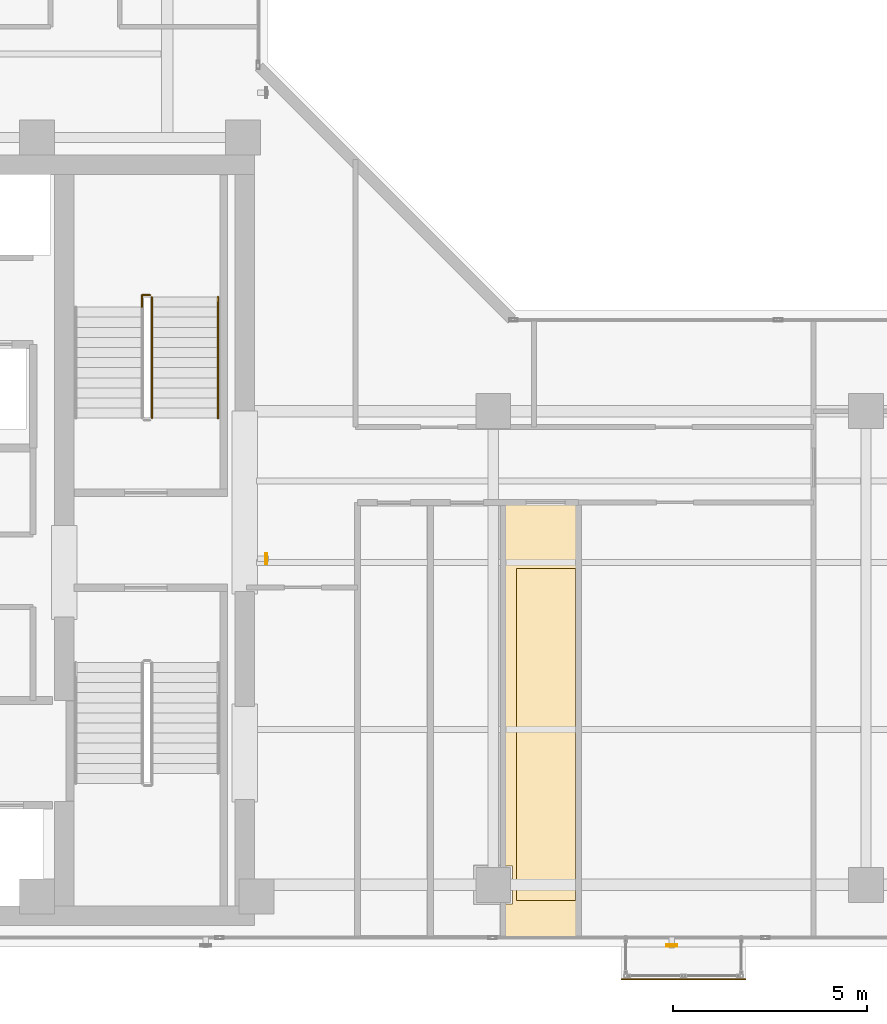
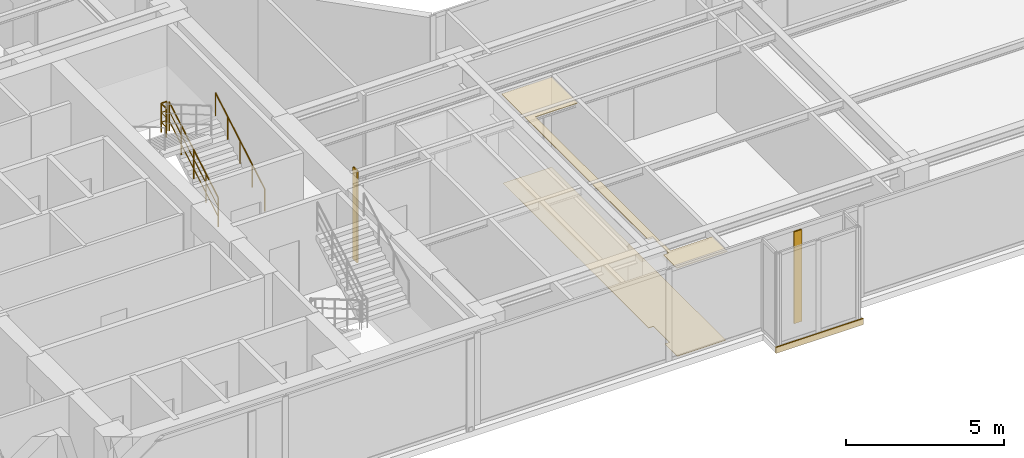
# One storey, part 21 of 22: 3 coverings, 3 railings, 2 shading devices.
"""IFC4 building model written with IfcOpenShell, lengths in metres."""

from ifc_helpers import new_model, si_unit, direction, frame, origin, origin_2d, place, context, subcontext, project, spatial, polyline, rectangle, hollow_rectangle, circle, outline, extrude, material, layer, layer_set, material_profile, profile_set, type_object, element, save


model = new_model("IFC4")

# Units and contexts
model_context = context("Model", 3, precision=1e-05, world=origin(), true_north=direction((0.0, 1.0)))
body_context = subcontext(model_context, "Body", "Model", "MODEL_VIEW")
ifc_project = project(units=[si_unit("LENGTHUNIT", "METRE"), si_unit("AREAUNIT", "SQUARE_METRE"), si_unit("VOLUMEUNIT", "CUBIC_METRE"), si_unit("PLANEANGLEUNIT", "RADIAN"), si_unit("MASSUNIT", "GRAM", prefix="KILO")], contexts=[model_context])

# Site, building, storey
site_placement = place(None, origin())
site = spatial("IfcSite", under=ifc_project, at=site_placement, CompositionType="ELEMENT")
building_placement = place(site_placement, origin())
building = spatial("IfcBuilding", under=site, at=building_placement, Name="Kolvaren Waterfront Exchange", CompositionType="ELEMENT")
storey_placement = place(building_placement, frame((0.0, 0.0, 266.60009765625)))
storey = spatial("IfcBuildingStorey", under=building, at=storey_placement, Name="L68", CompositionType="ELEMENT", Elevation=266.60009765625)

# Coverings
ifc_material_1 = material(Name="Mineral fibre acoustic ceiling tile")
ifc_layer_1 = layer(ifc_material_1, 0.02490234375, Name="Mineral fibre acoustic ceiling tile")
ifc_layer_set_1 = layer_set([ifc_layer_1], Name="Mineral fibre acoustic ceiling tile")
covering_type_1 = type_object("IfcCoveringType", Name="ARC-CEIL-ACOUSTIC-25", PredefinedType="CEILING", material=ifc_layer_set_1)
covering_1_placement = place(storey_placement, frame((0.0, 0.0, 3.44482421875)))
element("IfcCovering", 1, at=covering_1_placement, inside=storey, type_object=covering_type_1, Name="L68 acoustic suspended ceiling 3", PredefinedType="CEILING", context=body_context, shape_type="SweptSolid", body=[
    extrude(outline(polyline([(27.5048828125, 5.68994140625), (27.68994140625, 5.68994140625), (27.68994140625, 4.7099609375), (27.5048828125, 4.7099609375), (27.5048828125, 3.864990234375), (29.35498046875, 3.864990234375), (29.35498046875, 4.800048828125), (27.800048828125, 4.800048828125), (27.800048828125, 13.35009765625), (29.35498046875, 13.35009765625), (29.35498046875, 14.9951171875), (27.5048828125, 14.9951171875), (27.5048828125, 5.68994140625)])), origin(), (0.0, 0.0, 1.0), 0.025146484375),
])
ifc_material_2 = material(Name="Anodised bronze fascia aluminium", Category="aluminium")
ifc_layer_2 = layer(ifc_material_2, 0.034912109375, Name="Anodised bronze fascia aluminium")
ifc_layer_set_2 = layer_set([ifc_layer_2], Name="Anodised bronze fascia aluminium")
covering_type_2 = type_object("IfcCoveringType", Name="ARC-CLAD-BRONZE-35", PredefinedType="CLADDING", material=ifc_layer_set_2)
covering_2_placement = place(storey_placement, frame((32.10009765625, 2.77001953125, -0.22021484375), z_axis=(0.0, 0.0, 1.0), x_axis=(1.0, 0.0, 0.0)))
element("IfcCovering", 2, at=covering_2_placement, inside=storey, type_object=covering_type_2, Name="L68 ribbed anodised bronze bay-box fascia", PredefinedType="CLADDING", context=body_context, shape_type="SweptSolid", body=[
    extrude(rectangle(XDim=3.199951171875, YDim=0.034912109375, at=origin_2d()), origin(), (0.0, 0.0, 1.0), 0.239990234375),
])

# Shading devices
ifc_material_3 = material(Name="Anodised bronze aluminium 6063-T6", Category="aluminium")
ifc_material_profile = material_profile(ifc_material_3, hollow_rectangle(XDim=0.054931640625, YDim=0.280029296875, WallThickness=0.00439453125, at=origin_2d()), Name="BRZ-FIN-280x55x4.5")
ifc_profile_set = profile_set([ifc_material_profile], Name="Anodised bronze aluminium 6063-T6")
shading_device_type = type_object("IfcShadingDeviceType", Name="ARC-FIN-280", PredefinedType="USERDEFINED", material=ifc_profile_set)
for number, where, z_axis, x_axis, name in (
    (3, (31.800048828125, 3.639892578125, 0.0), (0.0, 0.0, 1.0), (0.0, -1.0, 0.0), "L68 anodised bronze solar shading fin FIN-L68-S3"),
    (4, (21.349609375, 13.60009765625, 0.0), (0.0, 0.0, 1.0), (1.0, 0.0, 0.0), "L68 anodised bronze solar shading fin FIN-L68-E1"),
):
    element("IfcShadingDevice", number, at=place(storey_placement, frame(where, z_axis=z_axis, x_axis=x_axis)), inside=storey, type_object=shading_device_type, Name=name, ObjectType="SOLAR FIN", PredefinedType="USERDEFINED", context=body_context, shape_type="SweptSolid", body=[
        extrude(hollow_rectangle(XDim=0.054931640625, YDim=0.280029296875, WallThickness=0.00439453125, at=origin_2d()), origin(), (0.0, 0.0, 1.0), 3.559814453125),
    ])

# Covering
ifc_material_4 = material(Name="Slip-resistant porcelain tile")
ifc_layer_3 = layer(ifc_material_4, 0.014892578125, Name="Slip-resistant porcelain tile")
ifc_layer_set_3 = layer_set([ifc_layer_3], Name="Slip-resistant porcelain tile")
covering_type_3 = type_object("IfcCoveringType", Name="ARC-FLR-PORC-15", PredefinedType="FLOORING", material=ifc_layer_set_3)
covering_3_placement = place(storey_placement, origin())
element("IfcCovering", 5, at=covering_3_placement, inside=storey, type_object=covering_type_3, Name="L68 floor finish 3", PredefinedType="FLOORING", context=body_context, shape_type="SweptSolid", body=[
    extrude(outline(polyline([(27.5400390625, 4.68994140625), (27.5400390625, 3.89990234375), (29.320068359375, 3.89990234375), (29.320068359375, 14.9599609375), (27.5400390625, 14.9599609375), (27.5400390625, 5.7099609375), (27.7099609375, 5.7099609375), (27.7099609375, 4.68994140625), (27.5400390625, 4.68994140625)])), origin(), (0.0, 0.0, 1.0), 0.014892578125),
])

# Railings
ifc_material_5 = material(Name="Stainless steel 316", Category="steel")
railing_type_1 = type_object("IfcRailingType", Name="ARC-GUARD-STAIR", PredefinedType="GUARDRAIL", material=ifc_material_5)
railing_1_placement = place(storey_placement, frame((18.409912109375, 17.219970703125, 0.15185546875)))
element("IfcRailing", 6, at=railing_1_placement, inside=storey, type_object=railing_type_1, Name="L68 ST2 stair guard 1", PredefinedType="GUARDRAIL", context=body_context, shape_type="SweptSolid", body=[
    extrude(circle(Radius=0.02392578125, at=origin_2d()), frame((0.0, 0.0, 1.1259765625), z_axis=(0.0, 0.86330811405, 0.504677223793), x_axis=(-1.0, 0.0, 0.0)), (0.0, 0.0, 1.0), 3.6142578125),
    extrude(circle(Radius=0.01611328125, at=origin_2d()), frame((0.0, 0.0, 0.390869140625), z_axis=(0.0, 0.86330811405, 0.504677223793), x_axis=(-1.0, 0.0, 0.0)), (0.0, 0.0, 1.0), 3.6142578125),
    extrude(circle(Radius=0.01611328125, at=origin_2d()), frame((0.0, 0.0, 0.7705078125), z_axis=(0.0, 0.86330811405, 0.504677223793), x_axis=(-1.0, 0.0, 0.0)), (0.0, 0.0, 1.0), 3.6142578125),
    extrude(circle(Radius=0.02099609375, at=origin_2d()), origin(), (0.0, 0.0, 1.0), 1.101806640625),
    extrude(circle(Radius=0.02099609375, at=origin_2d()), frame((0.0, 0.780029296875, 0.4560546875)), (0.0, 0.0, 1.0), 1.101806640625),
    extrude(circle(Radius=0.02099609375, at=origin_2d()), frame((0.0, 1.56005859375, 0.912109375)), (0.0, 0.0, 1.0), 1.101806640625),
    extrude(circle(Radius=0.02099609375, at=origin_2d()), frame((0.0, 2.340087890625, 1.367919921875)), (0.0, 0.0, 1.0), 1.101806640625),
    extrude(circle(Radius=0.02099609375, at=origin_2d()), frame((0.0, 3.1201171875, 1.823974609375)), (0.0, 0.0, 1.0), 1.101806640625),
])
railing_2_placement = place(storey_placement, frame((18.360107421875, 20.389892578125, 1.975830078125)))
element("IfcRailing", 7, at=railing_2_placement, inside=storey, type_object=railing_type_1, Name="L68 ST2 stair guard 2", PredefinedType="GUARDRAIL", context=body_context, shape_type="SweptSolid", body=[
    extrude(circle(Radius=0.02392578125, at=origin_2d()), frame((0.0, 0.0, 1.1259765625), z_axis=(-1.0, 0.0, 0.0), x_axis=(0.0, -1.0, 0.0)), (0.0, 0.0, 1.0), 0.210205078125),
    extrude(circle(Radius=0.01611328125, at=origin_2d()), frame((0.0, 0.0, 0.390869140625), z_axis=(-1.0, 0.0, 0.0), x_axis=(0.0, -1.0, 0.0)), (0.0, 0.0, 1.0), 0.210205078125),
    extrude(circle(Radius=0.01611328125, at=origin_2d()), frame((0.0, 0.0, 0.7705078125), z_axis=(-1.0, 0.0, 0.0), x_axis=(0.0, -1.0, 0.0)), (0.0, 0.0, 1.0), 0.210205078125),
    extrude(circle(Radius=0.02392578125, at=origin_2d()), frame((-0.210205078125, 0.0, 1.1259765625), z_axis=(0.0, -1.0, 0.0), x_axis=(1.0, 0.0, 0.0)), (0.0, 0.0, 1.0), 0.309814453125),
    extrude(circle(Radius=0.01611328125, at=origin_2d()), frame((-0.210205078125, 0.0, 0.390869140625), z_axis=(0.0, -1.0, 0.0), x_axis=(1.0, 0.0, 0.0)), (0.0, 0.0, 1.0), 0.309814453125),
    extrude(circle(Radius=0.01611328125, at=origin_2d()), frame((-0.210205078125, 0.0, 0.7705078125), z_axis=(0.0, -1.0, 0.0), x_axis=(1.0, 0.0, 0.0)), (0.0, 0.0, 1.0), 0.309814453125),
    extrude(circle(Radius=0.02099609375, at=origin_2d()), origin(), (0.0, 0.0, 1.0), 1.101806640625),
    extrude(circle(Radius=0.02099609375, at=origin_2d()), frame((-0.210205078125, 0.0, 0.0)), (0.0, 0.0, 1.0), 1.101806640625),
    extrude(circle(Radius=0.02099609375, at=origin_2d()), frame((-0.210205078125, -0.309814453125, 0.0)), (0.0, 0.0, 1.0), 1.101806640625),
])
railing_type_2 = type_object("IfcRailingType", Name="ARC-HANDRAIL-900", PredefinedType="HANDRAIL", material=ifc_material_5)
railing_3_placement = place(storey_placement, frame((20.110107421875, 17.219970703125, 0.15185546875)))
element("IfcRailing", 8, at=railing_3_placement, inside=storey, type_object=railing_type_2, Name="L68 ST2 stair handrail 1", PredefinedType="HANDRAIL", context=body_context, shape_type="SweptSolid", body=[
    extrude(circle(Radius=0.02392578125, at=origin_2d()), frame((0.0, 0.0, 0.8759765625), z_axis=(0.0, 0.86330811405, 0.504677223793), x_axis=(-1.0, 0.0, 0.0)), (0.0, 0.0, 1.0), 3.6142578125),
    extrude(circle(Radius=0.02099609375, at=origin_2d()), origin(), (0.0, 0.0, 1.0), 0.851806640625),
    extrude(circle(Radius=0.02099609375, at=origin_2d()), frame((0.0, 0.780029296875, 0.4560546875)), (0.0, 0.0, 1.0), 0.851806640625),
    extrude(circle(Radius=0.02099609375, at=origin_2d()), frame((0.0, 1.56005859375, 0.912109375)), (0.0, 0.0, 1.0), 0.851806640625),
    extrude(circle(Radius=0.02099609375, at=origin_2d()), frame((0.0, 2.340087890625, 1.367919921875)), (0.0, 0.0, 1.0), 0.851806640625),
    extrude(circle(Radius=0.02099609375, at=origin_2d()), frame((0.0, 3.1201171875, 1.823974609375)), (0.0, 0.0, 1.0), 0.851806640625),
])

save(model, "model.ifc")
